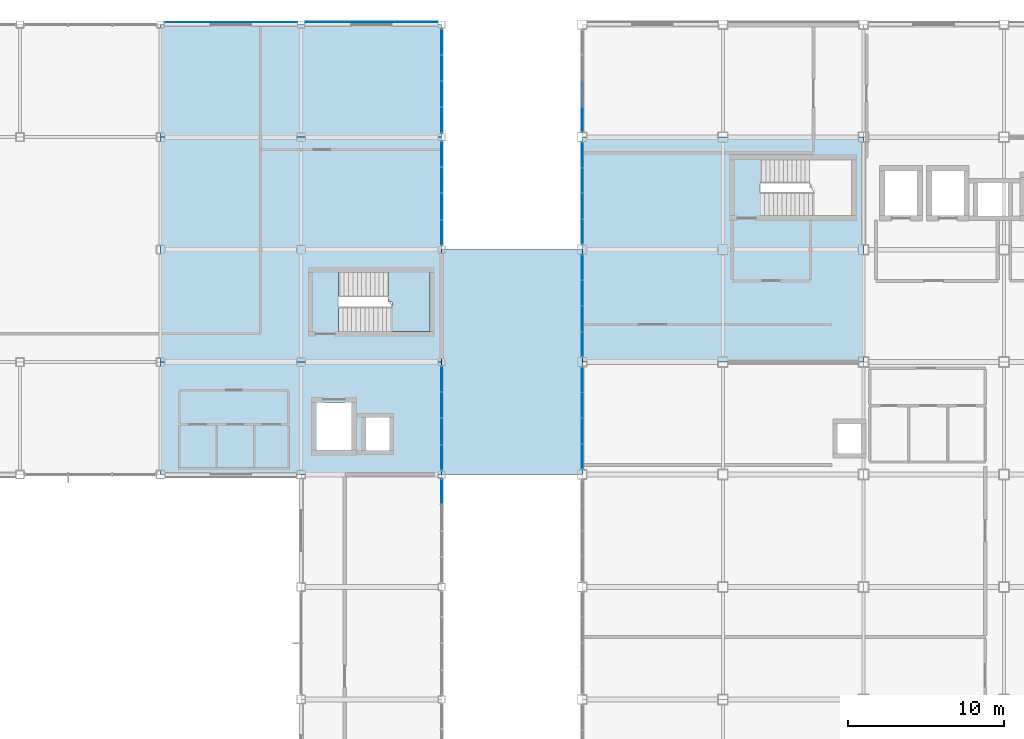
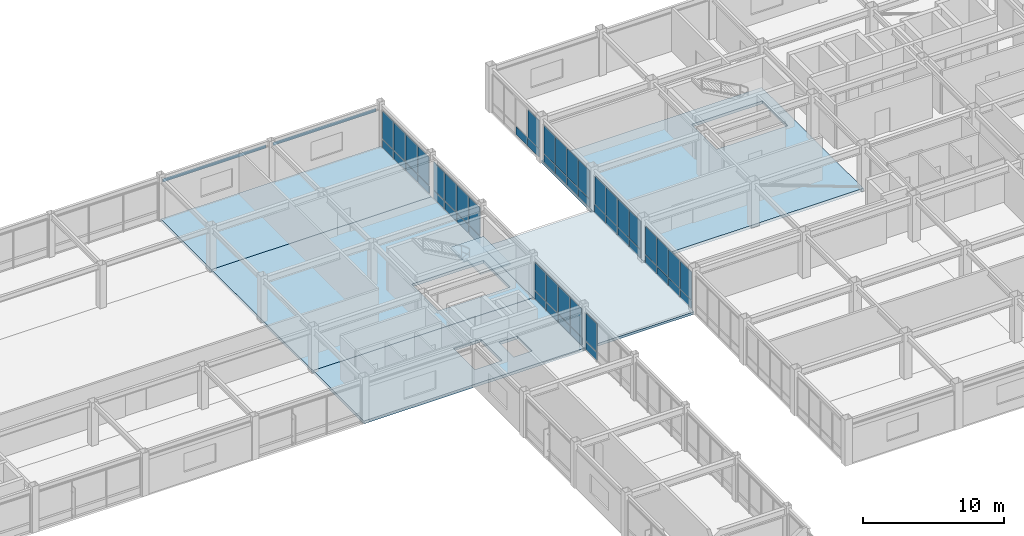
# One storey, part 90 of 113: 55 plates, 6 slabs, 9 elements without a shape of their own.
"""IFC4 building model written with IfcOpenShell, lengths in metres."""

from ifc_helpers import new_model, si_unit, direction, frame, origin, origin_2d, place, context, subcontext, project, spatial, polyline, rectangle, outline, extrude, material, layer, layer_set, type_object, element, aggregate, save


model = new_model("IFC4")

# Units and contexts
model_context = context("Model", 3, precision=1e-05, world=origin(), true_north=direction((0.0, 1.0)))
body_context = subcontext(model_context, "Body", "Model", "MODEL_VIEW")
ifc_project = project(units=[si_unit("LENGTHUNIT", "METRE"), si_unit("AREAUNIT", "SQUARE_METRE"), si_unit("VOLUMEUNIT", "CUBIC_METRE"), si_unit("PLANEANGLEUNIT", "RADIAN"), si_unit("MASSUNIT", "GRAM", prefix="KILO")], contexts=[model_context])

# Site, building, storey
site_placement = place(None, origin())
site = spatial("IfcSite", under=ifc_project, at=site_placement, CompositionType="ELEMENT")
building_placement = place(site_placement, origin())
building = spatial("IfcBuilding", under=site, at=building_placement, Name="Kazanami Central Library", CompositionType="ELEMENT")
storey_placement = place(building_placement, frame((0.0, 0.0, 8.800048828125)))
storey = spatial("IfcBuildingStorey", under=building, at=storey_placement, Name="L03", CompositionType="ELEMENT", Elevation=8.800048828125)

# Curtain wall, plate
ifc_material_1 = material(Name="Acid-Etched Low-E Laminated Glass", Category="glass")
curtain_wall_type_1 = type_object("IfcCurtainWallType", Name="CW-6750x3295-M180", PredefinedType="USERDEFINED", material=ifc_material_1)
curtain_wall_1_placement = place(storey_placement, origin())
curtain_wall_1 = element("IfcCurtainWall", 1, at=curtain_wall_1_placement, inside=storey, type_object=curtain_wall_type_1, Name="Covered Link Bridge Curtain Wall CW-32 L03 E-13-08", ObjectType="UNITISED CURTAIN WALL", PredefinedType="USERDEFINED")
ifc_material_2 = material(Name="Low-E Insulated Triple Glass", Category="glass")
ifc_layer_1 = layer(ifc_material_2, 0.0400390625, Name="Low-E Insulated Triple Glass")
ifc_layer_set_1 = layer_set([ifc_layer_1], Name="Low-E Insulated Triple Glass")
plate_type_1 = type_object("IfcPlateType", Name="PLT-CW-P3", PredefinedType="CURTAIN_PANEL", material=ifc_layer_set_1)
plate_1_placement = place(storey_placement, frame((108.0, 63.7138671875, 0.81494140625), z_axis=(0.0, 0.0, 1.0), x_axis=(0.0, -1.0, 0.0)))
plate_1 = element("IfcPlate", 2, at=plate_1_placement, type_object=plate_type_1, Name="CW-32 panel 1.2", PredefinedType="CURTAIN_PANEL", context=body_context, shape_type="SweptSolid", body=[
    extrude(rectangle(XDim=1.58251953125, YDim=0.0400390625, at=origin_2d()), origin(), (0.0, 0.0, 1.0), 2.409912109375),
])

# Curtain wall, plates
curtain_wall_2_placement = place(storey_placement, origin())
curtain_wall_2 = element("IfcCurtainWall", 3, at=curtain_wall_2_placement, inside=storey, type_object=curtain_wall_type_1, Name="Covered Link Bridge Curtain Wall CW-32 L03 E-13-09", ObjectType="UNITISED CURTAIN WALL", PredefinedType="USERDEFINED")
plate_2_placement = place(storey_placement, frame((108.0, 70.913818359375, 0.81494140625), z_axis=(0.0, 0.0, 1.0), x_axis=(0.0, -1.0, 0.0)))
plate_2 = element("IfcPlate", 4, at=plate_2_placement, type_object=plate_type_1, Name="CW-32 panel 1.2", PredefinedType="CURTAIN_PANEL", context=body_context, shape_type="SweptSolid", body=[
    extrude(rectangle(XDim=1.58251953125, YDim=0.0400390625, at=origin_2d()), origin(), (0.0, 0.0, 1.0), 2.409912109375),
])
plate_3_placement = place(storey_placement, frame((108.0, 69.24365234375, 0.81494140625), z_axis=(0.0, 0.0, 1.0), x_axis=(0.0, -1.0, 0.0)))
plate_3 = element("IfcPlate", 5, at=plate_3_placement, type_object=plate_type_1, Name="CW-32 panel 2.2", PredefinedType="CURTAIN_PANEL", context=body_context, shape_type="SweptSolid", body=[
    extrude(rectangle(XDim=1.617431640625, YDim=0.0400390625, at=origin_2d()), origin(), (0.0, 0.0, 1.0), 2.409912109375),
])
plate_4_placement = place(storey_placement, frame((108.0, 67.55615234375, 0.81494140625), z_axis=(0.0, 0.0, 1.0), x_axis=(0.0, -1.0, 0.0)))
plate_4 = element("IfcPlate", 6, at=plate_4_placement, type_object=plate_type_1, Name="CW-32 panel 3.2", PredefinedType="CURTAIN_PANEL", context=body_context, shape_type="SweptSolid", body=[
    extrude(rectangle(XDim=1.617431640625, YDim=0.0400390625, at=origin_2d()), origin(), (0.0, 0.0, 1.0), 2.409912109375),
])
plate_5_placement = place(storey_placement, frame((108.0, 65.88623046875, 0.81494140625), z_axis=(0.0, 0.0, 1.0), x_axis=(0.0, -1.0, 0.0)))
plate_5 = element("IfcPlate", 7, at=plate_5_placement, type_object=plate_type_1, Name="CW-32 panel 4.2", PredefinedType="CURTAIN_PANEL", context=body_context, shape_type="SweptSolid", body=[
    extrude(rectangle(XDim=1.58251953125, YDim=0.0400390625, at=origin_2d()), origin(), (0.0, 0.0, 1.0), 2.409912109375),
])

curtain_wall_3_placement = place(storey_placement, origin())
curtain_wall_3 = element("IfcCurtainWall", 8, at=curtain_wall_3_placement, inside=storey, type_object=curtain_wall_type_1, Name="Covered Link Bridge Curtain Wall CW-32 L03 E-13-11", ObjectType="UNITISED CURTAIN WALL", PredefinedType="USERDEFINED")
plate_6_placement = place(storey_placement, frame((108.0, 85.313720703125, 0.81494140625), z_axis=(0.0, 0.0, 1.0), x_axis=(0.0, -1.0, 0.0)))
plate_6 = element("IfcPlate", 9, at=plate_6_placement, type_object=plate_type_1, Name="CW-32 panel 1.2", PredefinedType="CURTAIN_PANEL", context=body_context, shape_type="SweptSolid", body=[
    extrude(rectangle(XDim=1.58251953125, YDim=0.0400390625, at=origin_2d()), origin(), (0.0, 0.0, 1.0), 2.409912109375),
])
plate_7_placement = place(storey_placement, frame((108.0, 83.643798828125, 0.81494140625), z_axis=(0.0, 0.0, 1.0), x_axis=(0.0, -1.0, 0.0)))
plate_7 = element("IfcPlate", 10, at=plate_7_placement, type_object=plate_type_1, Name="CW-32 panel 2.2", PredefinedType="CURTAIN_PANEL", context=body_context, shape_type="SweptSolid", body=[
    extrude(rectangle(XDim=1.617431640625, YDim=0.0400390625, at=origin_2d()), origin(), (0.0, 0.0, 1.0), 2.409912109375),
])
plate_8_placement = place(storey_placement, frame((108.0, 81.956298828125, 0.81494140625), z_axis=(0.0, 0.0, 1.0), x_axis=(0.0, -1.0, 0.0)))
plate_8 = element("IfcPlate", 11, at=plate_8_placement, type_object=plate_type_1, Name="CW-32 panel 3.2", PredefinedType="CURTAIN_PANEL", context=body_context, shape_type="SweptSolid", body=[
    extrude(rectangle(XDim=1.617431640625, YDim=0.0400390625, at=origin_2d()), origin(), (0.0, 0.0, 1.0), 2.409912109375),
])
plate_9_placement = place(storey_placement, frame((108.0, 80.2861328125, 0.81494140625), z_axis=(0.0, 0.0, 1.0), x_axis=(0.0, -1.0, 0.0)))
plate_9 = element("IfcPlate", 12, at=plate_9_placement, type_object=plate_type_1, Name="CW-32 panel 4.2", PredefinedType="CURTAIN_PANEL", context=body_context, shape_type="SweptSolid", body=[
    extrude(rectangle(XDim=1.58251953125, YDim=0.0400390625, at=origin_2d()), origin(), (0.0, 0.0, 1.0), 2.409912109375),
])

curtain_wall_4_placement = place(storey_placement, origin())
curtain_wall_4 = element("IfcCurtainWall", 13, at=curtain_wall_4_placement, inside=storey, type_object=curtain_wall_type_1, Name="Covered Link Bridge Curtain Wall CW-32 L03 E-13-12", ObjectType="UNITISED CURTAIN WALL", PredefinedType="USERDEFINED")
plate_10_placement = place(storey_placement, frame((108.0, 92.513671875, 0.81494140625), z_axis=(0.0, 0.0, 1.0), x_axis=(0.0, -1.0, 0.0)))
plate_10 = element("IfcPlate", 14, at=plate_10_placement, type_object=plate_type_1, Name="CW-32 panel 1.2", PredefinedType="CURTAIN_PANEL", context=body_context, shape_type="SweptSolid", body=[
    extrude(rectangle(XDim=1.58251953125, YDim=0.0400390625, at=origin_2d()), origin(), (0.0, 0.0, 1.0), 2.409912109375),
])
plate_11_placement = place(storey_placement, frame((108.0, 90.84375, 0.81494140625), z_axis=(0.0, 0.0, 1.0), x_axis=(0.0, -1.0, 0.0)))
plate_11 = element("IfcPlate", 15, at=plate_11_placement, type_object=plate_type_1, Name="CW-32 panel 2.2", PredefinedType="CURTAIN_PANEL", context=body_context, shape_type="SweptSolid", body=[
    extrude(rectangle(XDim=1.617431640625, YDim=0.0400390625, at=origin_2d()), origin(), (0.0, 0.0, 1.0), 2.409912109375),
])
plate_12_placement = place(storey_placement, frame((108.0, 89.15625, 0.81494140625), z_axis=(0.0, 0.0, 1.0), x_axis=(0.0, -1.0, 0.0)))
plate_12 = element("IfcPlate", 16, at=plate_12_placement, type_object=plate_type_1, Name="CW-32 panel 3.2", PredefinedType="CURTAIN_PANEL", context=body_context, shape_type="SweptSolid", body=[
    extrude(rectangle(XDim=1.617431640625, YDim=0.0400390625, at=origin_2d()), origin(), (0.0, 0.0, 1.0), 2.409912109375),
])
plate_13_placement = place(storey_placement, frame((108.0, 87.486328125, 0.81494140625), z_axis=(0.0, 0.0, 1.0), x_axis=(0.0, -1.0, 0.0)))
plate_13 = element("IfcPlate", 17, at=plate_13_placement, type_object=plate_type_1, Name="CW-32 panel 4.2", PredefinedType="CURTAIN_PANEL", context=body_context, shape_type="SweptSolid", body=[
    extrude(rectangle(XDim=1.58251953125, YDim=0.0400390625, at=origin_2d()), origin(), (0.0, 0.0, 1.0), 2.409912109375),
])

curtain_wall_type_2 = type_object("IfcCurtainWallType", Name="CW-6600x3295-M180", PredefinedType="USERDEFINED", material=ifc_material_1)
curtain_wall_5_placement = place(storey_placement, origin())
curtain_wall_5 = element("IfcCurtainWall", 18, at=curtain_wall_5_placement, inside=storey, type_object=curtain_wall_type_2, Name="Covered Link Bridge Curtain Wall CW-36 L03 W-14-09", ObjectType="UNITISED CURTAIN WALL", PredefinedType="USERDEFINED")
plate_14_placement = place(storey_placement, frame((117.0, 65.93994140625, 0.81005859375), z_axis=(0.0, 0.0, 1.0), x_axis=(0.0, 1.0, 0.0)))
plate_14 = element("IfcPlate", 19, at=plate_14_placement, type_object=plate_type_1, Name="CW-36 panel 1.2", PredefinedType="CURTAIN_PANEL", context=body_context, shape_type="SweptSolid", body=[
    extrude(rectangle(XDim=1.56005859375, YDim=0.0400390625, at=origin_2d()), origin(), (0.0, 0.0, 1.0), 2.425048828125),
])
plate_15_placement = place(storey_placement, frame((117.0, 67.574951171875, 0.81005859375), z_axis=(0.0, 0.0, 1.0), x_axis=(0.0, 1.0, 0.0)))
plate_15 = element("IfcPlate", 20, at=plate_15_placement, type_object=plate_type_1, Name="CW-36 panel 2.2", PredefinedType="CURTAIN_PANEL", context=body_context, shape_type="SweptSolid", body=[
    extrude(rectangle(XDim=1.590087890625, YDim=0.0400390625, at=origin_2d()), origin(), (0.0, 0.0, 1.0), 2.425048828125),
])
plate_16_placement = place(storey_placement, frame((117.0, 69.22509765625, 0.81005859375), z_axis=(0.0, 0.0, 1.0), x_axis=(0.0, 1.0, 0.0)))
plate_16 = element("IfcPlate", 21, at=plate_16_placement, type_object=plate_type_1, Name="CW-36 panel 3.2", PredefinedType="CURTAIN_PANEL", context=body_context, shape_type="SweptSolid", body=[
    extrude(rectangle(XDim=1.590087890625, YDim=0.0400390625, at=origin_2d()), origin(), (0.0, 0.0, 1.0), 2.425048828125),
])
plate_17_placement = place(storey_placement, frame((117.0, 70.860107421875, 0.81005859375), z_axis=(0.0, 0.0, 1.0), x_axis=(0.0, 1.0, 0.0)))
plate_17 = element("IfcPlate", 22, at=plate_17_placement, type_object=plate_type_1, Name="CW-36 panel 4.2", PredefinedType="CURTAIN_PANEL", context=body_context, shape_type="SweptSolid", body=[
    extrude(rectangle(XDim=1.56005859375, YDim=0.0400390625, at=origin_2d()), origin(), (0.0, 0.0, 1.0), 2.425048828125),
])

curtain_wall_6_placement = place(storey_placement, origin())
curtain_wall_6 = element("IfcCurtainWall", 23, at=curtain_wall_6_placement, inside=storey, type_object=curtain_wall_type_2, Name="Covered Link Bridge Curtain Wall CW-36 L03 W-14-10", ObjectType="UNITISED CURTAIN WALL", PredefinedType="USERDEFINED")
plate_18_placement = place(storey_placement, frame((117.0, 73.139892578125, 0.81005859375), z_axis=(0.0, 0.0, 1.0), x_axis=(0.0, 1.0, 0.0)))
plate_18 = element("IfcPlate", 24, at=plate_18_placement, type_object=plate_type_1, Name="CW-36 panel 1.2", PredefinedType="CURTAIN_PANEL", context=body_context, shape_type="SweptSolid", body=[
    extrude(rectangle(XDim=1.56005859375, YDim=0.0400390625, at=origin_2d()), origin(), (0.0, 0.0, 1.0), 2.425048828125),
])
plate_19_placement = place(storey_placement, frame((117.0, 74.77490234375, 0.81005859375), z_axis=(0.0, 0.0, 1.0), x_axis=(0.0, 1.0, 0.0)))
plate_19 = element("IfcPlate", 25, at=plate_19_placement, type_object=plate_type_1, Name="CW-36 panel 2.2", PredefinedType="CURTAIN_PANEL", context=body_context, shape_type="SweptSolid", body=[
    extrude(rectangle(XDim=1.590087890625, YDim=0.0400390625, at=origin_2d()), origin(), (0.0, 0.0, 1.0), 2.425048828125),
])
plate_20_placement = place(storey_placement, frame((117.0, 76.425048828125, 0.81005859375), z_axis=(0.0, 0.0, 1.0), x_axis=(0.0, 1.0, 0.0)))
plate_20 = element("IfcPlate", 26, at=plate_20_placement, type_object=plate_type_1, Name="CW-36 panel 3.2", PredefinedType="CURTAIN_PANEL", context=body_context, shape_type="SweptSolid", body=[
    extrude(rectangle(XDim=1.590087890625, YDim=0.0400390625, at=origin_2d()), origin(), (0.0, 0.0, 1.0), 2.425048828125),
])
plate_21_placement = place(storey_placement, frame((117.0, 78.06005859375, 0.81005859375), z_axis=(0.0, 0.0, 1.0), x_axis=(0.0, 1.0, 0.0)))
plate_21 = element("IfcPlate", 27, at=plate_21_placement, type_object=plate_type_1, Name="CW-36 panel 4.2", PredefinedType="CURTAIN_PANEL", context=body_context, shape_type="SweptSolid", body=[
    extrude(rectangle(XDim=1.56005859375, YDim=0.0400390625, at=origin_2d()), origin(), (0.0, 0.0, 1.0), 2.425048828125),
])

curtain_wall_7_placement = place(storey_placement, origin())
curtain_wall_7 = element("IfcCurtainWall", 28, at=curtain_wall_7_placement, inside=storey, type_object=curtain_wall_type_2, Name="Covered Link Bridge Curtain Wall CW-36 L03 W-14-11", ObjectType="UNITISED CURTAIN WALL", PredefinedType="USERDEFINED")
plate_22_placement = place(storey_placement, frame((117.0, 80.340087890625, 0.81005859375), z_axis=(0.0, 0.0, 1.0), x_axis=(0.0, 1.0, 0.0)))
plate_22 = element("IfcPlate", 29, at=plate_22_placement, type_object=plate_type_1, Name="CW-36 panel 1.2", PredefinedType="CURTAIN_PANEL", context=body_context, shape_type="SweptSolid", body=[
    extrude(rectangle(XDim=1.56005859375, YDim=0.0400390625, at=origin_2d()), origin(), (0.0, 0.0, 1.0), 2.425048828125),
])
plate_23_placement = place(storey_placement, frame((117.0, 81.97509765625, 0.81005859375), z_axis=(0.0, 0.0, 1.0), x_axis=(0.0, 1.0, 0.0)))
plate_23 = element("IfcPlate", 30, at=plate_23_placement, type_object=plate_type_1, Name="CW-36 panel 2.2", PredefinedType="CURTAIN_PANEL", context=body_context, shape_type="SweptSolid", body=[
    extrude(rectangle(XDim=1.590087890625, YDim=0.0400390625, at=origin_2d()), origin(), (0.0, 0.0, 1.0), 2.425048828125),
])
plate_24_placement = place(storey_placement, frame((117.0, 83.625, 0.81005859375), z_axis=(0.0, 0.0, 1.0), x_axis=(0.0, 1.0, 0.0)))
plate_24 = element("IfcPlate", 31, at=plate_24_placement, type_object=plate_type_1, Name="CW-36 panel 3.2", PredefinedType="CURTAIN_PANEL", context=body_context, shape_type="SweptSolid", body=[
    extrude(rectangle(XDim=1.590087890625, YDim=0.0400390625, at=origin_2d()), origin(), (0.0, 0.0, 1.0), 2.425048828125),
])
plate_25_placement = place(storey_placement, frame((117.0, 85.260009765625, 0.81005859375), z_axis=(0.0, 0.0, 1.0), x_axis=(0.0, 1.0, 0.0)))
plate_25 = element("IfcPlate", 32, at=plate_25_placement, type_object=plate_type_1, Name="CW-36 panel 4.2", PredefinedType="CURTAIN_PANEL", context=body_context, shape_type="SweptSolid", body=[
    extrude(rectangle(XDim=1.56005859375, YDim=0.0400390625, at=origin_2d()), origin(), (0.0, 0.0, 1.0), 2.425048828125),
])

# Curtain wall, plate
curtain_wall_8_placement = place(storey_placement, origin())
curtain_wall_8 = element("IfcCurtainWall", 33, at=curtain_wall_8_placement, inside=storey, type_object=curtain_wall_type_2, Name="Covered Link Bridge Curtain Wall CW-36 L03 W-14-12", ObjectType="UNITISED CURTAIN WALL", PredefinedType="USERDEFINED")
plate_26_placement = place(storey_placement, frame((117.0, 87.5400390625, 0.81005859375), z_axis=(0.0, 0.0, 1.0), x_axis=(0.0, 1.0, 0.0)))
plate_26 = element("IfcPlate", 34, at=plate_26_placement, type_object=plate_type_1, Name="CW-36 panel 1.2", PredefinedType="CURTAIN_PANEL", context=body_context, shape_type="SweptSolid", body=[
    extrude(rectangle(XDim=1.56005859375, YDim=0.0400390625, at=origin_2d()), origin(), (0.0, 0.0, 1.0), 2.425048828125),
])

# Plate
ifc_material_3 = material(Name="Anodised Aluminium A5052-H32", Category="aluminium")
ifc_layer_2 = layer(ifc_material_3, 0.06005859375, Name="Anodised Aluminium A5052-H32")
ifc_layer_set_2 = layer_set([ifc_layer_2], Name="Anodised Aluminium A5052-H32")
plate_type_2 = type_object("IfcPlateType", Name="PLT-CW-SP1", PredefinedType="CURTAIN_PANEL", material=ifc_layer_set_2)
plate_27_placement = place(storey_placement, frame((108.0, 63.7138671875, 0.06982421875), z_axis=(0.0, 0.0, 1.0), x_axis=(0.0, -1.0, 0.0)))
plate_27 = element("IfcPlate", 35, at=plate_27_placement, type_object=plate_type_2, Name="CW-32 panel 1.1", PredefinedType="CURTAIN_PANEL", context=body_context, shape_type="SweptSolid", body=[
    extrude(rectangle(XDim=1.58251953125, YDim=0.06005859375, at=origin_2d()), origin(), (0.0, 0.0, 1.0), 0.675048828125),
])

aggregate(curtain_wall_1, [plate_27, plate_1])

plate_28_placement = place(storey_placement, frame((108.0, 70.913818359375, 0.06982421875), z_axis=(0.0, 0.0, 1.0), x_axis=(0.0, -1.0, 0.0)))
plate_28 = element("IfcPlate", 36, at=plate_28_placement, type_object=plate_type_2, Name="CW-32 panel 1.1", PredefinedType="CURTAIN_PANEL", context=body_context, shape_type="SweptSolid", body=[
    extrude(rectangle(XDim=1.58251953125, YDim=0.06005859375, at=origin_2d()), origin(), (0.0, 0.0, 1.0), 0.675048828125),
])

plate_29_placement = place(storey_placement, frame((108.0, 69.24365234375, 0.06982421875), z_axis=(0.0, 0.0, 1.0), x_axis=(0.0, -1.0, 0.0)))
plate_29 = element("IfcPlate", 37, at=plate_29_placement, type_object=plate_type_2, Name="CW-32 panel 2.1", PredefinedType="CURTAIN_PANEL", context=body_context, shape_type="SweptSolid", body=[
    extrude(rectangle(XDim=1.617431640625, YDim=0.06005859375, at=origin_2d()), origin(), (0.0, 0.0, 1.0), 0.675048828125),
])

plate_30_placement = place(storey_placement, frame((108.0, 67.55615234375, 0.06982421875), z_axis=(0.0, 0.0, 1.0), x_axis=(0.0, -1.0, 0.0)))
plate_30 = element("IfcPlate", 38, at=plate_30_placement, type_object=plate_type_2, Name="CW-32 panel 3.1", PredefinedType="CURTAIN_PANEL", context=body_context, shape_type="SweptSolid", body=[
    extrude(rectangle(XDim=1.617431640625, YDim=0.06005859375, at=origin_2d()), origin(), (0.0, 0.0, 1.0), 0.675048828125),
])

plate_31_placement = place(storey_placement, frame((108.0, 65.88623046875, 0.06982421875), z_axis=(0.0, 0.0, 1.0), x_axis=(0.0, -1.0, 0.0)))
plate_31 = element("IfcPlate", 39, at=plate_31_placement, type_object=plate_type_2, Name="CW-32 panel 4.1", PredefinedType="CURTAIN_PANEL", context=body_context, shape_type="SweptSolid", body=[
    extrude(rectangle(XDim=1.58251953125, YDim=0.06005859375, at=origin_2d()), origin(), (0.0, 0.0, 1.0), 0.675048828125),
])

aggregate(curtain_wall_2, [plate_28, plate_2, plate_29, plate_3, plate_30, plate_4, plate_31, plate_5])

plate_32_placement = place(storey_placement, frame((108.0, 85.313720703125, 0.06982421875), z_axis=(0.0, 0.0, 1.0), x_axis=(0.0, -1.0, 0.0)))
plate_32 = element("IfcPlate", 40, at=plate_32_placement, type_object=plate_type_2, Name="CW-32 panel 1.1", PredefinedType="CURTAIN_PANEL", context=body_context, shape_type="SweptSolid", body=[
    extrude(rectangle(XDim=1.58251953125, YDim=0.06005859375, at=origin_2d()), origin(), (0.0, 0.0, 1.0), 0.675048828125),
])

plate_33_placement = place(storey_placement, frame((108.0, 83.643798828125, 0.06982421875), z_axis=(0.0, 0.0, 1.0), x_axis=(0.0, -1.0, 0.0)))
plate_33 = element("IfcPlate", 41, at=plate_33_placement, type_object=plate_type_2, Name="CW-32 panel 2.1", PredefinedType="CURTAIN_PANEL", context=body_context, shape_type="SweptSolid", body=[
    extrude(rectangle(XDim=1.617431640625, YDim=0.06005859375, at=origin_2d()), origin(), (0.0, 0.0, 1.0), 0.675048828125),
])

plate_34_placement = place(storey_placement, frame((108.0, 81.956298828125, 0.06982421875), z_axis=(0.0, 0.0, 1.0), x_axis=(0.0, -1.0, 0.0)))
plate_34 = element("IfcPlate", 42, at=plate_34_placement, type_object=plate_type_2, Name="CW-32 panel 3.1", PredefinedType="CURTAIN_PANEL", context=body_context, shape_type="SweptSolid", body=[
    extrude(rectangle(XDim=1.617431640625, YDim=0.06005859375, at=origin_2d()), origin(), (0.0, 0.0, 1.0), 0.675048828125),
])

plate_35_placement = place(storey_placement, frame((108.0, 80.2861328125, 0.06982421875), z_axis=(0.0, 0.0, 1.0), x_axis=(0.0, -1.0, 0.0)))
plate_35 = element("IfcPlate", 43, at=plate_35_placement, type_object=plate_type_2, Name="CW-32 panel 4.1", PredefinedType="CURTAIN_PANEL", context=body_context, shape_type="SweptSolid", body=[
    extrude(rectangle(XDim=1.58251953125, YDim=0.06005859375, at=origin_2d()), origin(), (0.0, 0.0, 1.0), 0.675048828125),
])

aggregate(curtain_wall_3, [plate_32, plate_6, plate_33, plate_7, plate_34, plate_8, plate_35, plate_9])

plate_36_placement = place(storey_placement, frame((108.0, 92.513671875, 0.06982421875), z_axis=(0.0, 0.0, 1.0), x_axis=(0.0, -1.0, 0.0)))
plate_36 = element("IfcPlate", 44, at=plate_36_placement, type_object=plate_type_2, Name="CW-32 panel 1.1", PredefinedType="CURTAIN_PANEL", context=body_context, shape_type="SweptSolid", body=[
    extrude(rectangle(XDim=1.58251953125, YDim=0.06005859375, at=origin_2d()), origin(), (0.0, 0.0, 1.0), 0.675048828125),
])

plate_37_placement = place(storey_placement, frame((108.0, 90.84375, 0.06982421875), z_axis=(0.0, 0.0, 1.0), x_axis=(0.0, -1.0, 0.0)))
plate_37 = element("IfcPlate", 45, at=plate_37_placement, type_object=plate_type_2, Name="CW-32 panel 2.1", PredefinedType="CURTAIN_PANEL", context=body_context, shape_type="SweptSolid", body=[
    extrude(rectangle(XDim=1.617431640625, YDim=0.06005859375, at=origin_2d()), origin(), (0.0, 0.0, 1.0), 0.675048828125),
])

plate_38_placement = place(storey_placement, frame((108.0, 89.15625, 0.06982421875), z_axis=(0.0, 0.0, 1.0), x_axis=(0.0, -1.0, 0.0)))
plate_38 = element("IfcPlate", 46, at=plate_38_placement, type_object=plate_type_2, Name="CW-32 panel 3.1", PredefinedType="CURTAIN_PANEL", context=body_context, shape_type="SweptSolid", body=[
    extrude(rectangle(XDim=1.617431640625, YDim=0.06005859375, at=origin_2d()), origin(), (0.0, 0.0, 1.0), 0.675048828125),
])

plate_39_placement = place(storey_placement, frame((108.0, 87.486328125, 0.06982421875), z_axis=(0.0, 0.0, 1.0), x_axis=(0.0, -1.0, 0.0)))
plate_39 = element("IfcPlate", 47, at=plate_39_placement, type_object=plate_type_2, Name="CW-32 panel 4.1", PredefinedType="CURTAIN_PANEL", context=body_context, shape_type="SweptSolid", body=[
    extrude(rectangle(XDim=1.58251953125, YDim=0.06005859375, at=origin_2d()), origin(), (0.0, 0.0, 1.0), 0.675048828125),
])

aggregate(curtain_wall_4, [plate_36, plate_10, plate_37, plate_11, plate_38, plate_12, plate_39, plate_13])

ifc_layer_3 = layer(ifc_material_3, 0.052001953125, Name="Anodised Aluminium A5052-H32")
ifc_layer_set_3 = layer_set([ifc_layer_3], Name="Anodised Aluminium A5052-H32")
plate_type_3 = type_object("IfcPlateType", Name="PLT-CW-SP2", PredefinedType="CURTAIN_PANEL", material=ifc_layer_set_3)
plate_40_placement = place(storey_placement, frame((117.0, 65.93994140625, 0.06005859375), z_axis=(0.0, 0.0, 1.0), x_axis=(0.0, 1.0, 0.0)))
plate_40 = element("IfcPlate", 48, at=plate_40_placement, type_object=plate_type_3, Name="CW-36 panel 1.1", PredefinedType="CURTAIN_PANEL", context=body_context, shape_type="SweptSolid", body=[
    extrude(rectangle(XDim=1.56005859375, YDim=0.052001953125, at=origin_2d()), origin(), (0.0, 0.0, 1.0), 0.68994140625),
])

plate_41_placement = place(storey_placement, frame((117.0, 67.574951171875, 0.06005859375), z_axis=(0.0, 0.0, 1.0), x_axis=(0.0, 1.0, 0.0)))
plate_41 = element("IfcPlate", 49, at=plate_41_placement, type_object=plate_type_3, Name="CW-36 panel 2.1", PredefinedType="CURTAIN_PANEL", context=body_context, shape_type="SweptSolid", body=[
    extrude(rectangle(XDim=1.590087890625, YDim=0.052001953125, at=origin_2d()), origin(), (0.0, 0.0, 1.0), 0.68994140625),
])

plate_42_placement = place(storey_placement, frame((117.0, 69.22509765625, 0.06005859375), z_axis=(0.0, 0.0, 1.0), x_axis=(0.0, 1.0, 0.0)))
plate_42 = element("IfcPlate", 50, at=plate_42_placement, type_object=plate_type_3, Name="CW-36 panel 3.1", PredefinedType="CURTAIN_PANEL", context=body_context, shape_type="SweptSolid", body=[
    extrude(rectangle(XDim=1.590087890625, YDim=0.052001953125, at=origin_2d()), origin(), (0.0, 0.0, 1.0), 0.68994140625),
])

plate_43_placement = place(storey_placement, frame((117.0, 70.860107421875, 0.06005859375), z_axis=(0.0, 0.0, 1.0), x_axis=(0.0, 1.0, 0.0)))
plate_43 = element("IfcPlate", 51, at=plate_43_placement, type_object=plate_type_3, Name="CW-36 panel 4.1", PredefinedType="CURTAIN_PANEL", context=body_context, shape_type="SweptSolid", body=[
    extrude(rectangle(XDim=1.56005859375, YDim=0.052001953125, at=origin_2d()), origin(), (0.0, 0.0, 1.0), 0.68994140625),
])

aggregate(curtain_wall_5, [plate_40, plate_14, plate_41, plate_15, plate_42, plate_16, plate_43, plate_17])

plate_44_placement = place(storey_placement, frame((117.0, 73.139892578125, 0.06005859375), z_axis=(0.0, 0.0, 1.0), x_axis=(0.0, 1.0, 0.0)))
plate_44 = element("IfcPlate", 52, at=plate_44_placement, type_object=plate_type_3, Name="CW-36 panel 1.1", PredefinedType="CURTAIN_PANEL", context=body_context, shape_type="SweptSolid", body=[
    extrude(rectangle(XDim=1.56005859375, YDim=0.052001953125, at=origin_2d()), origin(), (0.0, 0.0, 1.0), 0.68994140625),
])

plate_45_placement = place(storey_placement, frame((117.0, 74.77490234375, 0.06005859375), z_axis=(0.0, 0.0, 1.0), x_axis=(0.0, 1.0, 0.0)))
plate_45 = element("IfcPlate", 53, at=plate_45_placement, type_object=plate_type_3, Name="CW-36 panel 2.1", PredefinedType="CURTAIN_PANEL", context=body_context, shape_type="SweptSolid", body=[
    extrude(rectangle(XDim=1.590087890625, YDim=0.052001953125, at=origin_2d()), origin(), (0.0, 0.0, 1.0), 0.68994140625),
])

plate_46_placement = place(storey_placement, frame((117.0, 76.425048828125, 0.06005859375), z_axis=(0.0, 0.0, 1.0), x_axis=(0.0, 1.0, 0.0)))
plate_46 = element("IfcPlate", 54, at=plate_46_placement, type_object=plate_type_3, Name="CW-36 panel 3.1", PredefinedType="CURTAIN_PANEL", context=body_context, shape_type="SweptSolid", body=[
    extrude(rectangle(XDim=1.590087890625, YDim=0.052001953125, at=origin_2d()), origin(), (0.0, 0.0, 1.0), 0.68994140625),
])

plate_47_placement = place(storey_placement, frame((117.0, 78.06005859375, 0.06005859375), z_axis=(0.0, 0.0, 1.0), x_axis=(0.0, 1.0, 0.0)))
plate_47 = element("IfcPlate", 55, at=plate_47_placement, type_object=plate_type_3, Name="CW-36 panel 4.1", PredefinedType="CURTAIN_PANEL", context=body_context, shape_type="SweptSolid", body=[
    extrude(rectangle(XDim=1.56005859375, YDim=0.052001953125, at=origin_2d()), origin(), (0.0, 0.0, 1.0), 0.68994140625),
])

aggregate(curtain_wall_6, [plate_44, plate_18, plate_45, plate_19, plate_46, plate_20, plate_47, plate_21])

plate_48_placement = place(storey_placement, frame((117.0, 80.340087890625, 0.06005859375), z_axis=(0.0, 0.0, 1.0), x_axis=(0.0, 1.0, 0.0)))
plate_48 = element("IfcPlate", 56, at=plate_48_placement, type_object=plate_type_3, Name="CW-36 panel 1.1", PredefinedType="CURTAIN_PANEL", context=body_context, shape_type="SweptSolid", body=[
    extrude(rectangle(XDim=1.56005859375, YDim=0.052001953125, at=origin_2d()), origin(), (0.0, 0.0, 1.0), 0.68994140625),
])

plate_49_placement = place(storey_placement, frame((117.0, 81.97509765625, 0.06005859375), z_axis=(0.0, 0.0, 1.0), x_axis=(0.0, 1.0, 0.0)))
plate_49 = element("IfcPlate", 57, at=plate_49_placement, type_object=plate_type_3, Name="CW-36 panel 2.1", PredefinedType="CURTAIN_PANEL", context=body_context, shape_type="SweptSolid", body=[
    extrude(rectangle(XDim=1.590087890625, YDim=0.052001953125, at=origin_2d()), origin(), (0.0, 0.0, 1.0), 0.68994140625),
])

plate_50_placement = place(storey_placement, frame((117.0, 83.625, 0.06005859375), z_axis=(0.0, 0.0, 1.0), x_axis=(0.0, 1.0, 0.0)))
plate_50 = element("IfcPlate", 58, at=plate_50_placement, type_object=plate_type_3, Name="CW-36 panel 3.1", PredefinedType="CURTAIN_PANEL", context=body_context, shape_type="SweptSolid", body=[
    extrude(rectangle(XDim=1.590087890625, YDim=0.052001953125, at=origin_2d()), origin(), (0.0, 0.0, 1.0), 0.68994140625),
])

plate_51_placement = place(storey_placement, frame((117.0, 85.260009765625, 0.06005859375), z_axis=(0.0, 0.0, 1.0), x_axis=(0.0, 1.0, 0.0)))
plate_51 = element("IfcPlate", 59, at=plate_51_placement, type_object=plate_type_3, Name="CW-36 panel 4.1", PredefinedType="CURTAIN_PANEL", context=body_context, shape_type="SweptSolid", body=[
    extrude(rectangle(XDim=1.56005859375, YDim=0.052001953125, at=origin_2d()), origin(), (0.0, 0.0, 1.0), 0.68994140625),
])

aggregate(curtain_wall_7, [plate_48, plate_22, plate_49, plate_23, plate_50, plate_24, plate_51, plate_25])

plate_52_placement = place(storey_placement, frame((117.0, 87.5400390625, 0.06005859375), z_axis=(0.0, 0.0, 1.0), x_axis=(0.0, 1.0, 0.0)))
plate_52 = element("IfcPlate", 60, at=plate_52_placement, type_object=plate_type_3, Name="CW-36 panel 1.1", PredefinedType="CURTAIN_PANEL", context=body_context, shape_type="SweptSolid", body=[
    extrude(rectangle(XDim=1.56005859375, YDim=0.052001953125, at=origin_2d()), origin(), (0.0, 0.0, 1.0), 0.68994140625),
])

plate_53_placement = place(storey_placement, frame((117.0, 89.175048828125, 0.06005859375), z_axis=(0.0, 0.0, 1.0), x_axis=(0.0, 1.0, 0.0)))
plate_53 = element("IfcPlate", 61, at=plate_53_placement, type_object=plate_type_3, Name="CW-36 panel 2.1", PredefinedType="CURTAIN_PANEL", context=body_context, shape_type="SweptSolid", body=[
    extrude(rectangle(XDim=1.590087890625, YDim=0.052001953125, at=origin_2d()), origin(), (0.0, 0.0, 1.0), 0.68994140625),
])

aggregate(curtain_wall_8, [plate_52, plate_26, plate_53])

# Plates
ifc_layer_4 = layer(ifc_material_3, 0.011962890625, Name="Anodised Aluminium A5052-H32")
ifc_layer_set_4 = layer_set([ifc_layer_4], Name="Anodised Aluminium A5052-H32")
plate_type_4 = type_object("IfcPlateType", Name="PLT-SPN-12", PredefinedType="SHEET", material=ifc_layer_set_4)
plate_54_placement = place(storey_placement, frame((94.5, 93.76611328125, 2.98486328125), z_axis=(0.0, 0.0, 1.0), x_axis=(-1.0, 0.0, 0.0)))
element("IfcPlate", 62, at=plate_54_placement, inside=storey, type_object=plate_type_4, Name="Architectural Spandrel Sheet SPN-12 L03 N-O-10", PredefinedType="SHEET", context=body_context, shape_type="SweptSolid", body=[
    extrude(rectangle(XDim=8.449951171875, YDim=0.011962890625, at=origin_2d()), origin(), (0.0, 0.0, 1.0), 0.300048828125),
])
ifc_layer_5 = layer(ifc_material_3, 0.013916015625, Name="Anodised Aluminium A5052-H32")
ifc_layer_set_5 = layer_set([ifc_layer_5], Name="Anodised Aluminium A5052-H32")
plate_type_5 = type_object("IfcPlateType", Name="PLT-SPN-14", PredefinedType="SHEET", material=ifc_layer_set_5)
plate_55_placement = place(storey_placement, frame((103.5, 93.76708984375, 2.98486328125), z_axis=(0.0, 0.0, 1.0), x_axis=(-1.0, 0.0, 0.0)))
element("IfcPlate", 63, at=plate_55_placement, inside=storey, type_object=plate_type_5, Name="Architectural Spandrel Sheet SPN-14 L03 N-O-11", PredefinedType="SHEET", context=body_context, shape_type="SweptSolid", body=[
    extrude(rectangle(XDim=8.449951171875, YDim=0.013916015625, at=origin_2d()), origin(), (0.0, 0.0, 1.0), 0.300048828125),
])

# Slabs
ifc_material_4 = material(Name="Concrete Fc36 (36 MPa)", Category="concrete")
ifc_layer_6 = layer(ifc_material_4, 0.2451171875, Name="Concrete Fc36 (36 MPa)")
ifc_layer_set_6 = layer_set([ifc_layer_6], Name="Concrete Fc36 (36 MPa)")
slab_type_1 = type_object("IfcSlabType", Name="SLB-FLR-245", PredefinedType="FLOOR", material=ifc_layer_set_6)
slab_1_placement = place(storey_placement, frame((0.0, 0.0, -0.2451171875)))
element("IfcSlab", 64, at=slab_1_placement, inside=storey, type_object=slab_type_1, Name="Composite Floor Slab L03 V1-NORTH Zone 24", PredefinedType="FLOOR", context=body_context, shape_type="SweptSolid", body=[
    extrude(outline(polyline([(90.0, 64.800048828125), (108.0, 64.800048828125), (108.0, 72.0), (90.0, 72.0), (90.0, 64.800048828125)]), holes=[polyline([(99.97509765625, 66.375), (102.22509765625, 66.375), (102.22509765625, 69.425048828125), (99.97509765625, 69.425048828125), (99.97509765625, 66.375)]), polyline([(103.14990234375, 66.35009765625), (104.64990234375, 66.35009765625), (104.64990234375, 68.449951171875), (103.14990234375, 68.449951171875), (103.14990234375, 66.35009765625)])]), origin(), (0.0, 0.0, 1.0), 0.2451171875),
])
slab_2_placement = place(storey_placement, frame((0.0, 0.0, -0.2451171875)))
element("IfcSlab", 65, at=slab_2_placement, inside=storey, type_object=slab_type_1, Name="Composite Floor Slab L03 V1-NORTH Zone 25", PredefinedType="FLOOR", context=body_context, shape_type="SweptSolid", body=[
    extrude(outline(polyline([(90.0, 72.0), (108.0, 72.0), (108.0, 86.39990234375), (90.0, 86.39990234375), (90.0, 72.0)]), holes=[polyline([(101.39990234375, 73.949951171875), (107.25, 73.949951171875), (107.25, 77.75), (101.39990234375, 77.75), (101.39990234375, 73.949951171875)])]), origin(), (0.0, 0.0, 1.0), 0.2451171875),
])
slab_3_placement = place(storey_placement, frame((0.0, 0.0, -0.2451171875)))
element("IfcSlab", 66, at=slab_3_placement, inside=storey, type_object=slab_type_1, Name="Composite Floor Slab L03 V1-NORTH Zone 26", PredefinedType="FLOOR", context=body_context, shape_type="SweptSolid", body=[
    extrude(outline(polyline([(90.0, 86.39990234375), (108.0, 86.39990234375), (108.0, 93.60009765625), (90.0, 93.60009765625), (90.0, 86.39990234375)])), origin(), (0.0, 0.0, 1.0), 0.2451171875),
])
slab_4_placement = place(storey_placement, frame((0.0, 0.0, -0.2451171875)))
element("IfcSlab", 67, at=slab_4_placement, inside=storey, type_object=slab_type_1, Name="Composite Floor Slab L03 V2-MAIN Zone 29", PredefinedType="FLOOR", context=body_context, shape_type="SweptSolid", body=[
    extrude(outline(polyline([(117.0, 72.0), (135.0, 72.0), (135.0, 86.39990234375), (117.0, 86.39990234375), (117.0, 72.0)]), holes=[polyline([(128.39990234375, 81.375), (134.22509765625, 81.375), (134.22509765625, 84.925048828125), (128.39990234375, 84.925048828125), (128.39990234375, 81.375)])]), origin(), (0.0, 0.0, 1.0), 0.2451171875),
])

# Stair, slab
stair_type = type_object("IfcStairType", Name="STR-P40", PredefinedType="HALF_TURN_STAIR", material=ifc_material_4)
stair_placement = place(storey_placement, origin())
stair = element("IfcStair", 68, at=stair_placement, inside=storey, type_object=stair_type, Name="Enclosed Escape Stair ST-04 (L03)", PredefinedType="HALF_TURN_STAIR")
ifc_layer_7 = layer(ifc_material_4, 0.179931640625, Name="Concrete Fc36 (36 MPa)")
ifc_layer_set_7 = layer_set([ifc_layer_7], Name="Concrete Fc36 (36 MPa)")
slab_type_2 = type_object("IfcSlabType", Name="SLB-LND-180", PredefinedType="LANDING", material=ifc_layer_set_7)
slab_5_placement = place(storey_placement, frame((0.0, 0.0, 1.89990234375)))
slab_5 = element("IfcSlab", 69, at=slab_5_placement, type_object=slab_type_2, Name="ST-04 landing 1", PredefinedType="LANDING", context=body_context, shape_type="SweptSolid", body=[
    extrude(outline(polyline([(104.827880859375, 73.949951171875), (107.25, 73.949951171875), (107.25, 77.75), (104.548095703125, 77.75), (104.548095703125, 75.85009765625), (104.827880859375, 75.85009765625), (104.827880859375, 73.949951171875)])), origin(), (0.0, 0.0, 1.0), 0.179931640625),
])
aggregate(stair, [slab_5])

# Slab
ifc_layer_8 = layer(ifc_material_4, 0.2099609375, Name="Concrete Fc36 (36 MPa)")
ifc_layer_set_8 = layer_set([ifc_layer_8], Name="Concrete Fc36 (36 MPa)")
slab_type_3 = type_object("IfcSlabType", Name="SLB-ROOF-210", PredefinedType="ROOF", material=ifc_layer_set_8)
slab_6_placement = place(storey_placement, frame((0.0, 0.0, -0.2099609375)))
element("IfcSlab", 70, at=slab_6_placement, inside=storey, type_object=slab_type_3, Name="Covered Seismic-Joint Link Bridge Roof Slab ROOF-L02-BRG-E", PredefinedType="ROOF", context=body_context, shape_type="SweptSolid", body=[
    extrude(outline(polyline([(108.0, 64.800048828125), (117.0, 64.800048828125), (117.0, 79.199951171875), (108.0, 79.199951171875), (108.0, 64.800048828125)])), origin(), (0.0, 0.0, 1.0), 0.2099609375),
])

save(model, "model.ifc")
